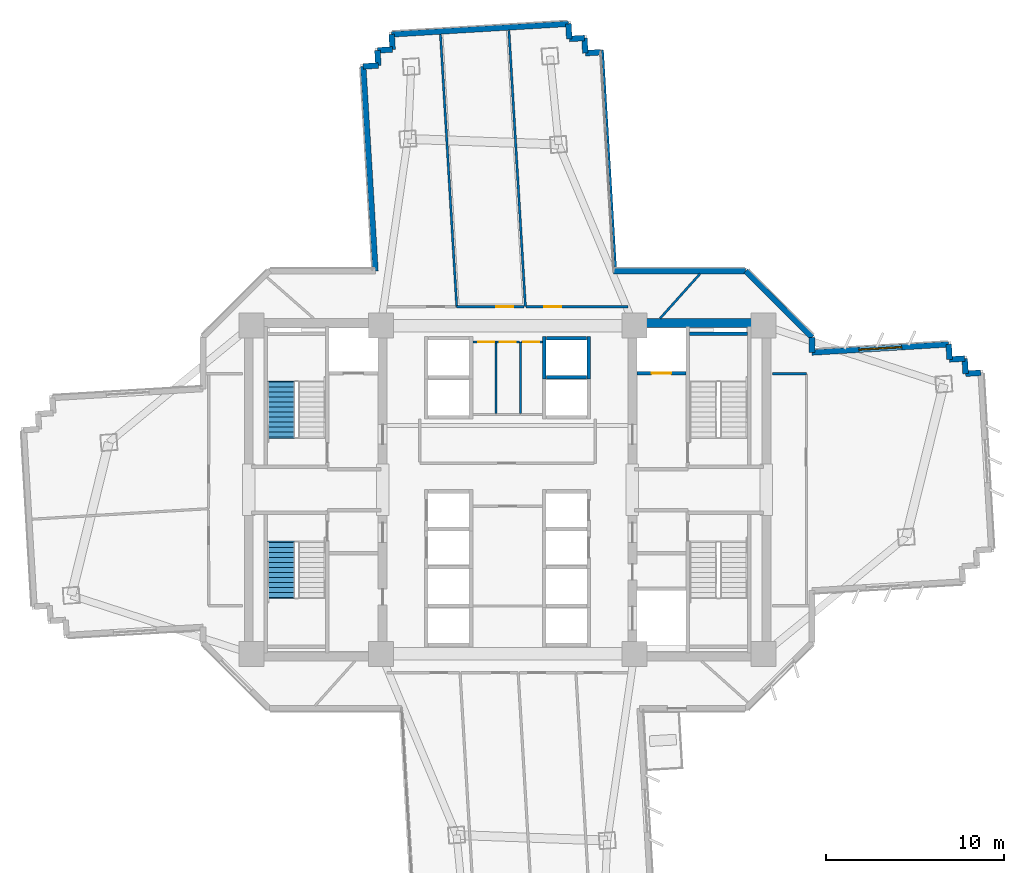
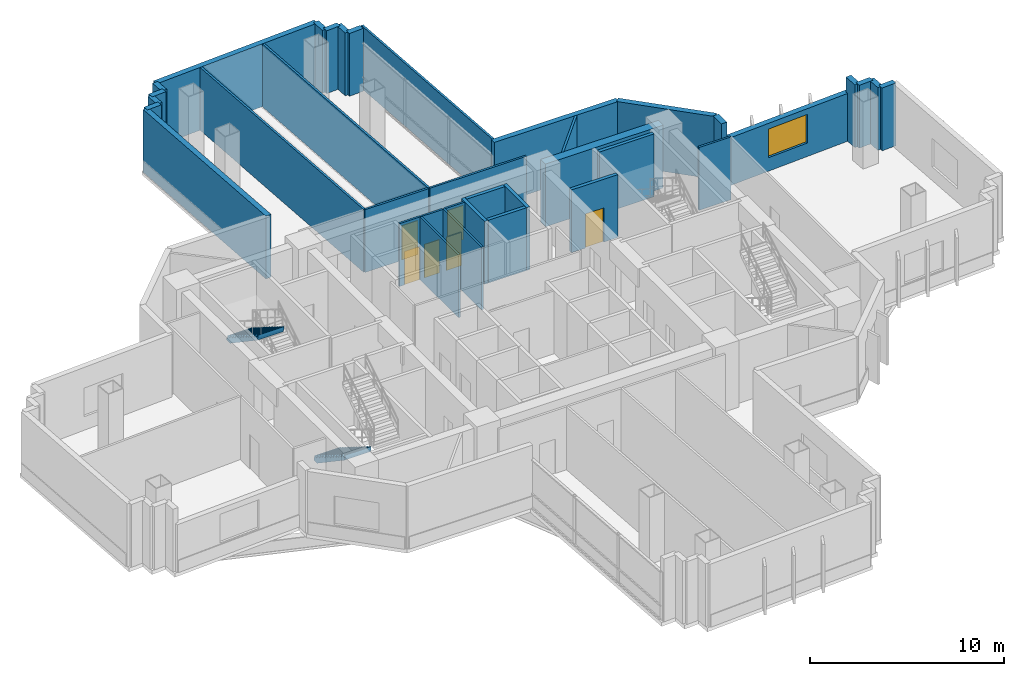
# One storey, part 9 of 15: 37 walls, 6 doors, 2 stair flights, 1 window, 7 openings, 2 elements without a shape of their own.
"""IFC4 building model written with IfcOpenShell, lengths in metres."""

from ifc_helpers import new_model, si_unit, direction, frame, frame_2d, origin, place, context, subcontext, project, spatial, polyline, rectangle, outline, extrude, source, transform, mapped, material, layer, layer_set, type_object, element, fill, aggregate, save


model = new_model("IFC4")

# Units and contexts
model_context = context("Model", 3, precision=1e-05, world=origin(), true_north=direction((0.0, 1.0)))
body_context = subcontext(model_context, "Body", "Model", "MODEL_VIEW")
ifc_project = project(units=[si_unit("LENGTHUNIT", "METRE"), si_unit("AREAUNIT", "SQUARE_METRE"), si_unit("VOLUMEUNIT", "CUBIC_METRE"), si_unit("PLANEANGLEUNIT", "RADIAN"), si_unit("MASSUNIT", "GRAM", prefix="KILO")], contexts=[model_context])

# Site, building, storey
site_placement = place(None, origin())
site = spatial("IfcSite", under=ifc_project, at=site_placement, CompositionType="ELEMENT")
building_placement = place(site_placement, origin())
building = spatial("IfcBuilding", under=site, at=building_placement, Name="Zahravan Cultural Tower", CompositionType="ELEMENT")
storey_placement = place(building_placement, frame((0.0, 0.0, 75.300048828125)))
storey = spatial("IfcBuildingStorey", under=building, at=storey_placement, Name="L16", CompositionType="ELEMENT", Elevation=75.300048828125)

# Wall, opening, window
ifc_material_1 = material(Name="Precast concrete C40/50", Category="concrete")
ifc_layer_1 = layer(ifc_material_1, 0.320068359375)
ifc_layer_set_1 = layer_set([ifc_layer_1], Name="Precast concrete C40/50")
wall_type_1 = type_object("IfcWallType", Name="EW-TC-320", PredefinedType="SOLIDWALL", material=ifc_layer_set_1)
wall_1_placement = place(storey_placement, frame((53.06005859375, 34.69140625, 0.0), z_axis=(0.0, 0.0, 1.0), x_axis=(0.998218176762, 0.059669687296, 0.0)))
wall_1 = element("IfcWall", 1, at=wall_1_placement, inside=storey, type_object=wall_type_1, Name="L16 Exterior Masonry Frame Wall 01", PredefinedType="SOLIDWALL", context=body_context, shape_type="SweptSolid", body=[
    extrude(rectangle(XDim=7.671630859375, YDim=0.320068359375, at=frame_2d((3.8359375, 0.0))), origin(), (0.0, 0.0, 1.0), 3.010009765625),
])
opening_1_placement = place(wall_1_placement, frame((2.635986328125, 0.0, 0.85009765625)))
opening_1 = element("IfcOpeningElement", 2, at=opening_1_placement, cuts=wall_1, Name="Opening WN-01", PredefinedType="OPENING", context=body_context, shape_type="SweptSolid", body=[
    extrude(rectangle(XDim=2.39990234375, YDim=1.800048828125, at=frame_2d((1.199951171875, 0.89990234375))), frame((0.0, 0.169921875, 0.0), z_axis=(0.0, -1.0, 0.0), x_axis=(1.0, 0.0, 0.0)), (0.0, 0.0, 1.0), 0.340087890625),
])
ifc_material_2 = material(Name="Low-E solar-control double glazing", Category="glass")
window_type = type_object("IfcWindowType", Name="WN-REC-2400X1800", PartitioningType="DOUBLE_PANEL_VERTICAL", PredefinedType="WINDOW", material=ifc_material_2)
shared_shape_1 = source(origin(), body_context, "Body", "SweptSolid", [
    extrude(rectangle(XDim=2.39990234375, YDim=1.800048828125, at=frame_2d((1.199951171875, 0.89990234375))), frame((0.0, 0.030029296875, 0.0), z_axis=(0.0, -1.0, 0.0), x_axis=(1.0, 0.0, 0.0)), (0.0, 0.0, 1.0), 0.06005859375),
])
window_placement = place(opening_1_placement, origin())
window = element("IfcWindow", 3, at=window_placement, inside=storey, type_object=window_type, Name="L16 Recessed Solar Window 01", OverallHeight=1.800048828125, OverallWidth=2.39990234375, PartitioningType="DOUBLE_PANEL_VERTICAL", PredefinedType="WINDOW", context=body_context, shape_type="MappedRepresentation", body=[
    mapped(shared_shape_1, transform((0.0, 0.0, 0.0), x_axis=(1.0, 0.0, 0.0), y_axis=(0.0, 1.0, 0.0), z_axis=(0.0, 0.0, 1.0), scale=1.0)),
])
fill(opening_1, window)

# Wall, opening, door
ifc_material_3 = material(Name="Gypsum plasterboard partition")
ifc_layer_2 = layer(ifc_material_3, 0.125)
ifc_layer_set_2 = layer_set([ifc_layer_2], Name="Gypsum plasterboard partition")
wall_type_2 = type_object("IfcWallType", Name="W-PART-125", PredefinedType="PARTITIONING", material=ifc_layer_set_2)
wall_2_placement = place(storey_placement, frame((36.93212890625, 37.260009765625, 0.0), z_axis=(0.0, 0.0, 1.0), x_axis=(-1.0, 0.0, 0.0)))
wall_2 = element("IfcWall", 4, at=wall_2_placement, inside=storey, type_object=wall_type_2, Name="L16 Interior Wall 085", PredefinedType="PARTITIONING", context=body_context, shape_type="SweptSolid", body=[
    extrude(rectangle(XDim=3.779296875, YDim=0.125, at=frame_2d((1.8896484375, 0.0))), origin(), (0.0, 0.0, 1.0), 3.949951171875),
])
opening_2_placement = place(wall_2_placement, frame((0.622314453125, 0.0, 0.0)))
opening_2 = element("IfcOpeningElement", 5, at=opening_2_placement, cuts=wall_2, Name="Opening D-L16-18", PredefinedType="OPENING", context=body_context, shape_type="SweptSolid", body=[
    extrude(rectangle(XDim=0.949951171875, YDim=2.14990234375, at=frame_2d((0.47509765625, 1.074951171875))), frame((0.0, 0.072509765625, 0.0), z_axis=(0.0, -1.0, 0.0), x_axis=(1.0, 0.0, 0.0)), (0.0, 0.0, 1.0), 0.14501953125),
])
ifc_material_4 = material(Name="Anodised bronze-aluminium mullion", Category="aluminium")
door_type_1 = type_object("IfcDoorType", Name="DR-ROOM-950", OperationType="NOTDEFINED", PredefinedType="DOOR", material=ifc_material_4)
shared_shape_2 = source(origin(), body_context, "Body", "SweptSolid", [
    extrude(rectangle(XDim=0.949951171875, YDim=2.14990234375, at=frame_2d((0.47509765625, 1.074951171875))), frame((0.0, 0.02490234375, 0.0), z_axis=(0.0, -1.0, 0.0), x_axis=(1.0, 0.0, 0.0)), (0.0, 0.0, 1.0), 0.050048828125),
])
door_1_placement = place(opening_2_placement, origin())
door_1 = element("IfcDoor", 6, at=door_1_placement, inside=storey, type_object=door_type_1, Name="L16 Door D-L16-18", OperationType="SINGLE_SWING_LEFT", OverallHeight=2.14990234375, OverallWidth=0.949951171875, PredefinedType="DOOR", context=body_context, shape_type="MappedRepresentation", body=[
    mapped(shared_shape_2, transform((0.0, 0.0, 0.0), x_axis=(1.0, 0.0, 0.0), y_axis=(0.0, 1.0, 0.0), z_axis=(0.0, 0.0, 1.0), scale=1.0)),
])
fill(opening_2, door_1)

wall_3_placement = place(storey_placement, frame((42.742431640625, 37.259765625, 0.0), z_axis=(0.0, 0.0, 1.0), x_axis=(-0.99999999909, 4.2662116e-05, 0.0)))
wall_3 = element("IfcWall", 7, at=wall_3_placement, inside=storey, type_object=wall_type_2, Name="L16 Interior Wall 099", PredefinedType="PARTITIONING", context=body_context, shape_type="SweptSolid", body=[
    extrude(rectangle(XDim=5.72265625, YDim=0.125, at=frame_2d((2.861328125, 0.0))), origin(), (0.0, 0.0, 1.0), 3.949951171875),
])
opening_3_placement = place(wall_3_placement, frame((3.72265625, 0.0, 0.0)))
opening_3 = element("IfcOpeningElement", 8, at=opening_3_placement, cuts=wall_3, Name="Opening D-L16-17", PredefinedType="OPENING", context=body_context, shape_type="SweptSolid", body=[
    extrude(rectangle(XDim=0.949951171875, YDim=2.14990234375, at=frame_2d((0.47509765625, 1.074951171875))), frame((0.0, 0.072509765625, 0.0), z_axis=(0.0, -1.0, 0.0), x_axis=(1.0, 0.0, 0.0)), (0.0, 0.0, 1.0), 0.14501953125),
])
door_2_placement = place(opening_3_placement, origin())
door_2 = element("IfcDoor", 9, at=door_2_placement, inside=storey, type_object=door_type_1, Name="L16 Door D-L16-17", OperationType="SINGLE_SWING_RIGHT", OverallHeight=2.14990234375, OverallWidth=0.949951171875, PredefinedType="DOOR", context=body_context, shape_type="MappedRepresentation", body=[
    mapped(shared_shape_2, transform((0.0, 0.0, 0.0), x_axis=(1.0, 0.0, 0.0), y_axis=(0.0, 1.0, 0.0), z_axis=(0.0, 0.0, 1.0), scale=1.0)),
])
fill(opening_3, door_2)

ifc_material_5 = material(Name="Concrete C45/55", Category="concrete")
ifc_layer_3 = layer(ifc_material_5, 0.199951171875)
ifc_layer_set_3 = layer_set([ifc_layer_3], Name="Concrete C45/55")
wall_type_3 = type_object("IfcWallType", Name="W-SHAFT-200", PredefinedType="SOLIDWALL", material=ifc_layer_set_3)
wall_4_placement = place(storey_placement, frame((43.25, 33.52001953125, 0.0), z_axis=(0.0, 0.0, 1.0), x_axis=(1.0, 0.0, 0.0)))
wall_4 = element("IfcWall", 10, at=wall_4_placement, inside=storey, type_object=wall_type_3, Name="L16 Interior Wall 022", PredefinedType="SOLIDWALL", context=body_context, shape_type="SweptSolid", body=[
    extrude(rectangle(XDim=2.75, YDim=0.199951171875, at=frame_2d((1.375, 0.0))), origin(), (0.0, 0.0, 1.0), 3.949951171875),
])
opening_4_placement = place(wall_4_placement, frame((0.820068359375, 0.0, 0.0)))
opening_4 = element("IfcOpeningElement", 11, at=opening_4_placement, cuts=wall_4, Name="Opening LD-L16-02", PredefinedType="OPENING", context=body_context, shape_type="SweptSolid", body=[
    extrude(rectangle(XDim=1.10009765625, YDim=2.14990234375, at=frame_2d((0.550048828125, 1.074951171875))), frame((0.0, 0.10986328125, 0.0), z_axis=(0.0, -1.0, 0.0), x_axis=(1.0, 0.0, 0.0)), (0.0, 0.0, 1.0), 0.219970703125),
])
ifc_material_6 = material(Name="Steel ASTM A572 Grade 50", Category="steel")
door_type_2 = type_object("IfcDoorType", Name="DR-LIFT-1100", OperationType="DOUBLE_DOOR_SLIDING", PredefinedType="DOOR", material=ifc_material_6)
shared_shape_3 = source(origin(), body_context, "Body", "SweptSolid", [
    extrude(rectangle(XDim=1.10009765625, YDim=2.14990234375, at=frame_2d((0.550048828125, 1.074951171875))), frame((0.0, 0.02490234375, 0.0), z_axis=(0.0, -1.0, 0.0), x_axis=(1.0, 0.0, 0.0)), (0.0, 0.0, 1.0), 0.050048828125),
])
door_3_placement = place(opening_4_placement, origin())
door_3 = element("IfcDoor", 12, at=door_3_placement, inside=storey, type_object=door_type_2, Name="L16 Door LD-L16-02", OperationType="DOUBLE_DOOR_SLIDING", OverallHeight=2.14990234375, OverallWidth=1.10009765625, PredefinedType="DOOR", context=body_context, shape_type="MappedRepresentation", body=[
    mapped(shared_shape_3, transform((0.0, 0.0, 0.0), x_axis=(1.0, 0.0, 0.0), y_axis=(0.0, 1.0, 0.0), z_axis=(0.0, 0.0, 1.0), scale=1.0)),
])
fill(opening_4, door_3)

ifc_layer_4 = layer(ifc_material_3, 0.114990234375)
ifc_layer_set_4 = layer_set([ifc_layer_4], Name="Gypsum plasterboard partition")
wall_type_4 = type_object("IfcWallType", Name="W-WC-115", PredefinedType="PARTITIONING", material=ifc_layer_set_4)
wall_5_placement = place(storey_placement, frame((36.782470703125, 35.280029296875, 0.0), z_axis=(0.0, 0.0, 1.0), x_axis=(1.0, 0.0, 0.0)))
wall_5 = element("IfcWall", 13, at=wall_5_placement, inside=storey, type_object=wall_type_4, Name="L16 Interior Wall 068", PredefinedType="PARTITIONING", context=body_context, shape_type="SweptSolid", body=[
    extrude(rectangle(XDim=1.16259765625, YDim=0.114990234375, at=frame_2d((0.581298828125, 0.0))), origin(), (0.0, 0.0, 1.0), 3.949951171875),
])
opening_5_placement = place(wall_5_placement, frame((0.0888671875, 0.0, 0.0)))
opening_5 = element("IfcOpeningElement", 14, at=opening_5_placement, cuts=wall_5, Name="Opening D-L16-13", PredefinedType="OPENING", context=body_context, shape_type="SweptSolid", body=[
    extrude(rectangle(XDim=0.89990234375, YDim=2.10009765625, at=frame_2d((0.449951171875, 1.050048828125))), frame((0.0, 0.0673828125, 0.0), z_axis=(0.0, -1.0, 0.0), x_axis=(1.0, 0.0, 0.0)), (0.0, 0.0, 1.0), 0.135009765625),
])
door_type_3 = type_object("IfcDoorType", Name="DR-WC-900", OperationType="NOTDEFINED", PredefinedType="DOOR", material=ifc_material_4)
shared_shape_4 = source(origin(), body_context, "Body", "SweptSolid", [
    extrude(rectangle(XDim=0.89990234375, YDim=2.10009765625, at=frame_2d((0.449951171875, 1.050048828125))), frame((0.0, 0.02490234375, 0.0), z_axis=(0.0, -1.0, 0.0), x_axis=(1.0, 0.0, 0.0)), (0.0, 0.0, 1.0), 0.050048828125),
])
door_4_placement = place(opening_5_placement, origin())
door_4 = element("IfcDoor", 15, at=door_4_placement, inside=storey, type_object=door_type_3, Name="L16 Door D-L16-13", OperationType="SINGLE_SWING_RIGHT", OverallHeight=2.10009765625, OverallWidth=0.89990234375, PredefinedType="DOOR", context=body_context, shape_type="MappedRepresentation", body=[
    mapped(shared_shape_4, transform((0.0, 0.0, 0.0), x_axis=(1.0, 0.0, 0.0), y_axis=(0.0, 1.0, 0.0), z_axis=(0.0, 0.0, 1.0), scale=1.0)),
])
fill(opening_5, door_4)

wall_6_placement = place(storey_placement, frame((34.054931640625, 35.280029296875, 0.0), z_axis=(0.0, 0.0, 1.0), x_axis=(1.0, 0.0, 0.0)))
wall_6 = element("IfcWall", 16, at=wall_6_placement, inside=storey, type_object=wall_type_4, Name="L16 Interior Wall 070", PredefinedType="PARTITIONING", context=body_context, shape_type="SweptSolid", body=[
    extrude(rectangle(XDim=1.28515625, YDim=0.114990234375, at=frame_2d((0.642578125, 0.0))), origin(), (0.0, 0.0, 1.0), 3.949951171875),
])
opening_6_placement = place(wall_6_placement, frame((0.30029296875, 0.0, 0.0)))
opening_6 = element("IfcOpeningElement", 17, at=opening_6_placement, cuts=wall_6, Name="Opening D-L16-11", PredefinedType="OPENING", context=body_context, shape_type="SweptSolid", body=[
    extrude(rectangle(XDim=0.89990234375, YDim=2.10009765625, at=frame_2d((0.449951171875, 1.050048828125))), frame((0.0, 0.0673828125, 0.0), z_axis=(0.0, -1.0, 0.0), x_axis=(1.0, 0.0, 0.0)), (0.0, 0.0, 1.0), 0.135009765625),
])
door_5_placement = place(opening_6_placement, origin())
door_5 = element("IfcDoor", 18, at=door_5_placement, inside=storey, type_object=door_type_3, Name="L16 Door D-L16-11", OperationType="SINGLE_SWING_RIGHT", OverallHeight=2.10009765625, OverallWidth=0.89990234375, PredefinedType="DOOR", context=body_context, shape_type="MappedRepresentation", body=[
    mapped(shared_shape_4, transform((0.0, 0.0, 0.0), x_axis=(1.0, 0.0, 0.0), y_axis=(0.0, 1.0, 0.0), z_axis=(0.0, 0.0, 1.0), scale=1.0)),
])
fill(opening_6, door_5)

wall_7_placement = place(storey_placement, frame((35.360107421875, 35.280029296875, 0.0), z_axis=(0.0, 0.0, 1.0), x_axis=(1.0, 0.0, 0.0)))
wall_7 = element("IfcWall", 19, at=wall_7_placement, inside=storey, type_object=wall_type_4, Name="L16 Interior Wall 073", PredefinedType="PARTITIONING", context=body_context, shape_type="SweptSolid", body=[
    extrude(rectangle(XDim=1.29736328125, YDim=0.114990234375, at=frame_2d((0.648681640625, 0.0))), origin(), (0.0, 0.0, 1.0), 3.949951171875),
])
opening_7_placement = place(wall_7_placement, frame((0.19873046875, 0.0, 0.0)))
opening_7 = element("IfcOpeningElement", 20, at=opening_7_placement, cuts=wall_7, Name="Opening D-L16-12", PredefinedType="OPENING", context=body_context, shape_type="SweptSolid", body=[
    extrude(rectangle(XDim=0.89990234375, YDim=2.10009765625, at=frame_2d((0.449951171875, 1.050048828125))), frame((0.0, 0.0673828125, 0.0), z_axis=(0.0, -1.0, 0.0), x_axis=(1.0, 0.0, 0.0)), (0.0, 0.0, 1.0), 0.135009765625),
])
door_6_placement = place(opening_7_placement, origin())
door_6 = element("IfcDoor", 21, at=door_6_placement, inside=storey, type_object=door_type_3, Name="L16 Door D-L16-12", OperationType="SINGLE_SWING_LEFT", OverallHeight=2.10009765625, OverallWidth=0.89990234375, PredefinedType="DOOR", context=body_context, shape_type="MappedRepresentation", body=[
    mapped(shared_shape_4, transform((0.0, 0.0, 0.0), x_axis=(1.0, 0.0, 0.0), y_axis=(0.0, 1.0, 0.0), z_axis=(0.0, 0.0, 1.0), scale=1.0)),
])
fill(opening_7, door_6)

# Walls
ifc_material_7 = material(Name="Concrete C60/75", Category="concrete")
ifc_layer_5 = layer(ifc_material_7, 0.5)
ifc_layer_set_5 = layer_set([ifc_layer_5], Name="Concrete C60/75")
wall_type_5 = type_object("IfcWallType", Name="CW-SHEAR-500-C60", PredefinedType="SHEAR", material=ifc_layer_set_5)
shared_shape_5 = source(origin(), body_context, "Body", "SweptSolid", [
    extrude(rectangle(XDim=7.0, YDim=0.5, at=frame_2d((3.5, 0.0))), origin(), (0.0, 0.0, 1.0), 3.949951171875),
])
wall_8_placement = place(storey_placement, frame((43.25, 36.35009765625, 0.0), z_axis=(0.0, 0.0, 1.0), x_axis=(1.0, 0.0, 0.0)))
element("IfcWall", 22, at=wall_8_placement, inside=storey, type_object=wall_type_5, Name="L16 Core Shear Wall CW-E-N-L16", PredefinedType="SHEAR", context=body_context, shape_type="MappedRepresentation", body=[
    mapped(shared_shape_5, transform((0.0, 0.0, 0.0), x_axis=(1.0, 0.0, 0.0), y_axis=(0.0, 1.0, 0.0), z_axis=(0.0, 0.0, 1.0), scale=1.0)),
])
shared_shape_6 = source(origin(), body_context, "Body", "SweptSolid", [
    extrude(rectangle(XDim=0.849853515625, YDim=0.320068359375, at=frame_2d((0.4248046875, 0.0))), origin(), (0.0, 0.0, 1.0), 3.949951171875),
])
for number, where, z_axis, x_axis, name in (
    (23, (27.91064453125, 50.7197265625, 0.0), (0.0, 0.0, 1.0), (0.998213421964, 0.059749177487, 0.0), "L16 Exterior Masonry Frame Wall 43"),
    (24, (28.759033203125, 50.7705078125, 0.0), (0.0, 0.0, 1.0), (-0.059462939961, 0.998230513845, 0.0), "L16 Exterior Masonry Frame Wall 44"),
    (25, (28.70849609375, 51.618896484375, 0.0), (0.0, 0.0, 1.0), (0.998213421964, 0.059749177487, 0.0), "L16 Exterior Masonry Frame Wall 45"),
    (26, (29.556884765625, 51.669677734375, 0.0), (0.0, 0.0, 1.0), (-0.059749177487, 0.998213421964, 0.0), "L16 Exterior Masonry Frame Wall 46"),
    (27, (39.459228515625, 52.26123046875, 0.0), (0.0, 0.0, 1.0), (0.998213421964, 0.059749177487, 0.0), "L16 Exterior Masonry Frame Wall 49"),
    (28, (40.3076171875, 52.31201171875, 0.0), (0.0, 0.0, 1.0), (0.059749177487, -0.998213421964, 0.0), "L16 Exterior Masonry Frame Wall 50"),
    (29, (40.3583984375, 51.463623046875, 0.0), (0.0, 0.0, 1.0), (0.998213421964, 0.059749177487, 0.0), "L16 Exterior Masonry Frame Wall 51"),
):
    element("IfcWall", number, at=place(storey_placement, frame(where, z_axis=z_axis, x_axis=x_axis)), inside=storey, type_object=wall_type_1, Name=name, PredefinedType="SOLIDWALL", context=body_context, shape_type="MappedRepresentation", body=[
        mapped(shared_shape_6, transform((0.0, 0.0, 0.0), x_axis=(1.0, 0.0, 0.0), y_axis=(0.0, 1.0, 0.0), z_axis=(0.0, 0.0, 1.0), scale=1.0)),
    ])
shared_shape_7 = source(origin(), body_context, "Body", "SweptSolid", [
    extrude(rectangle(XDim=0.85009765625, YDim=0.320068359375, at=frame_2d((0.425048828125, 0.0))), origin(), (0.0, 0.0, 1.0), 3.949951171875),
])
for number, where, z_axis, x_axis, name in (
    (30, (60.718017578125, 35.149169921875, 0.0), (0.0, 0.0, 1.0), (0.059445893707, -0.998231529116, 0.0), "L16 Exterior Masonry Frame Wall 02"),
    (31, (60.7685546875, 34.300537109375, 0.0), (0.0, 0.0, 1.0), (0.998214447016, 0.059732049764, 0.0), "L16 Exterior Masonry Frame Wall 03"),
    (32, (61.6171875, 34.351318359375, 0.0), (0.0, 0.0, 1.0), (0.059445893707, -0.998231529116, 0.0), "L16 Exterior Masonry Frame Wall 04"),
    (33, (61.667724609375, 33.502685546875, 0.0), (0.0, 0.0, 1.0), (0.998214447016, 0.059732049764, 0.0), "L16 Exterior Masonry Frame Wall 05"),
    (34, (39.408447265625, 53.10986328125, 0.0), (0.0, 0.0, 1.0), (0.059732049764, -0.998214447016, 0.0), "L16 Exterior Masonry Frame Wall 48"),
):
    element("IfcWall", number, at=place(storey_placement, frame(where, z_axis=z_axis, x_axis=x_axis)), inside=storey, type_object=wall_type_1, Name=name, PredefinedType="SOLIDWALL", context=body_context, shape_type="MappedRepresentation", body=[
        mapped(shared_shape_7, transform((0.0, 0.0, 0.0), x_axis=(1.0, 0.0, 0.0), y_axis=(0.0, 1.0, 0.0), z_axis=(0.0, 0.0, 1.0), scale=1.0)),
    ])
shared_shape_8 = source(origin(), body_context, "Body", "SweptSolid", [
    extrude(rectangle(XDim=9.919921875, YDim=0.320068359375, at=frame_2d((4.9599609375, 0.0))), origin(), (0.0, 0.0, 1.0), 3.949951171875),
])
wall_9_placement = place(storey_placement, frame((29.506103515625, 52.51806640625, 0.0), z_axis=(0.0, 0.0, 1.0), x_axis=(0.998218942745, 0.059656871726, 0.0)))
element("IfcWall", 35, at=wall_9_placement, inside=storey, type_object=wall_type_1, Name="L16 Exterior Masonry Frame Wall 47", PredefinedType="SOLIDWALL", context=body_context, shape_type="MappedRepresentation", body=[
    mapped(shared_shape_8, transform((0.0, 0.0, 0.0), x_axis=(1.0, 0.0, 0.0), y_axis=(0.0, 1.0, 0.0), z_axis=(0.0, 0.0, 1.0), scale=1.0)),
])
shared_shape_9 = source(origin(), body_context, "Body", "SweptSolid", [
    extrude(rectangle(XDim=5.258056640625, YDim=0.320068359375, at=frame_2d((2.62890625, 0.0))), origin(), (0.0, 0.0, 1.0), 3.949951171875),
])
wall_10_placement = place(storey_placement, frame((49.342041015625, 39.260009765625, 0.0), z_axis=(0.0, 0.0, 1.0), x_axis=(0.707106781187, -0.707106781187, 0.0)))
element("IfcWall", 36, at=wall_10_placement, inside=storey, type_object=wall_type_1, Name="L16 Exterior Masonry Frame Wall 53", PredefinedType="SOLIDWALL", context=body_context, shape_type="MappedRepresentation", body=[
    mapped(shared_shape_9, transform((0.0, 0.0, 0.0), x_axis=(1.0, 0.0, 0.0), y_axis=(0.0, 1.0, 0.0), z_axis=(0.0, 0.0, 1.0), scale=1.0)),
])
shared_shape_10 = source(origin(), body_context, "Body", "SweptSolid", [
    extrude(rectangle(XDim=7.40283203125, YDim=0.320068359375, at=frame_2d((3.701416015625, 0.0))), origin(), (0.0, 0.0, 1.0), 3.949951171875),
])
wall_11_placement = place(storey_placement, frame((41.939208984375, 39.260009765625, 0.0), z_axis=(0.0, 0.0, 1.0), x_axis=(1.0, 0.0, 0.0)))
element("IfcWall", 37, at=wall_11_placement, inside=storey, type_object=wall_type_1, Name="L16 Exterior Masonry Frame Wall 52", PredefinedType="SOLIDWALL", context=body_context, shape_type="MappedRepresentation", body=[
    mapped(shared_shape_10, transform((0.0, 0.0, 0.0), x_axis=(1.0, 0.0, 0.0), y_axis=(0.0, 1.0, 0.0), z_axis=(0.0, 0.0, 1.0), scale=1.0)),
])
shared_shape_11 = source(origin(), body_context, "Body", "SweptSolid", [
    extrude(rectangle(XDim=0.8505859375, YDim=0.320068359375, at=frame_2d((0.42529296875, 0.0))), origin(), (0.0, 0.0, 1.0), 3.949951171875),
])
wall_12_placement = place(storey_placement, frame((53.06005859375, 35.5419921875, 0.0), z_axis=(0.0, 0.0, 1.0), x_axis=(0.0, -1.0, 0.0)))
element("IfcWall", 38, at=wall_12_placement, inside=storey, type_object=wall_type_1, Name="L16 Exterior Masonry Frame Wall 54", PredefinedType="SOLIDWALL", context=body_context, shape_type="MappedRepresentation", body=[
    mapped(shared_shape_11, transform((0.0, 0.0, 0.0), x_axis=(1.0, 0.0, 0.0), y_axis=(0.0, 1.0, 0.0), z_axis=(0.0, 0.0, 1.0), scale=1.0)),
])
shared_shape_12 = source(origin(), body_context, "Body", "SweptSolid", [
    extrude(rectangle(XDim=11.480224609375, YDim=0.320068359375, at=frame_2d((5.740234375, 0.0))), origin(), (0.0, 0.0, 1.0), 3.949951171875),
])
wall_13_placement = place(storey_placement, frame((28.595458984375, 39.260009765625, 0.0), z_axis=(0.0, 0.0, 1.0), x_axis=(-0.059651994121, 0.998219234235, 0.0)))
element("IfcWall", 39, at=wall_13_placement, inside=storey, type_object=wall_type_1, Name="L16 Exterior Masonry Frame Wall 42", PredefinedType="SOLIDWALL", context=body_context, shape_type="MappedRepresentation", body=[
    mapped(shared_shape_12, transform((0.0, 0.0, 0.0), x_axis=(1.0, 0.0, 0.0), y_axis=(0.0, 1.0, 0.0), z_axis=(0.0, 0.0, 1.0), scale=1.0)),
])
shared_shape_13 = source(origin(), body_context, "Body", "SweptSolid", [
    extrude(rectangle(XDim=3.25, YDim=0.199951171875, at=frame_2d((1.625, 0.0))), origin(), (0.0, 0.0, 1.0), 3.949951171875),
])
wall_14_placement = place(storey_placement, frame((46.199951171875, 35.75, 0.0), z_axis=(0.0, 0.0, 1.0), x_axis=(1.0, 0.0, 0.0)))
element("IfcWall", 40, at=wall_14_placement, inside=storey, type_object=wall_type_3, Name="L16 Interior Wall 018", PredefinedType="SOLIDWALL", context=body_context, shape_type="MappedRepresentation", body=[
    mapped(shared_shape_13, transform((0.0, 0.0, 0.0), x_axis=(1.0, 0.0, 0.0), y_axis=(0.0, 1.0, 0.0), z_axis=(0.0, 0.0, 1.0), scale=1.0)),
])
shared_shape_14 = source(origin(), body_context, "Body", "SweptSolid", [
    extrude(rectangle(XDim=2.400146484375, YDim=0.199951171875, at=frame_2d((1.2001953125, 0.0))), origin(), (0.0, 0.0, 1.0), 3.949951171875),
])
for number, where, z_axis, x_axis, name in (
    (41, (38.050048828125, 33.199951171875, 0.0), (0.0, 0.0, 1.0), (0.0, 1.0, 0.0), "L16 Interior Wall 033"),
    (42, (40.550048828125, 33.199951171875, 0.0), (0.0, 0.0, 1.0), (0.0, 1.0, 0.0), "L16 Interior Wall 034"),
):
    element("IfcWall", number, at=place(storey_placement, frame(where, z_axis=z_axis, x_axis=x_axis)), inside=storey, type_object=wall_type_3, Name=name, PredefinedType="SOLIDWALL", context=body_context, shape_type="MappedRepresentation", body=[
        mapped(shared_shape_14, transform((0.0, 0.0, 0.0), x_axis=(1.0, 0.0, 0.0), y_axis=(0.0, 1.0, 0.0), z_axis=(0.0, 0.0, 1.0), scale=1.0)),
    ])
shared_shape_15 = source(origin(), body_context, "Body", "SweptSolid", [
    extrude(rectangle(XDim=2.260009765625, YDim=0.199951171875, at=frame_2d((1.1298828125, 0.0))), origin(), (0.0, 0.0, 1.0), 3.949951171875),
])
for number, where, z_axis, x_axis, name in (
    (43, (38.169921875, 33.300048828125, 0.0), (0.0, 0.0, 1.0), (1.0, 0.0, 0.0), "L16 Interior Wall 035"),
    (44, (38.169921875, 35.5, 0.0), (0.0, 0.0, 1.0), (1.0, 0.0, 0.0), "L16 Interior Wall 036"),
):
    element("IfcWall", number, at=place(storey_placement, frame(where, z_axis=z_axis, x_axis=x_axis)), inside=storey, type_object=wall_type_3, Name=name, PredefinedType="SOLIDWALL", context=body_context, shape_type="MappedRepresentation", body=[
        mapped(shared_shape_15, transform((0.0, 0.0, 0.0), x_axis=(1.0, 0.0, 0.0), y_axis=(0.0, 1.0, 0.0), z_axis=(0.0, 0.0, 1.0), scale=1.0)),
    ])
shared_shape_16 = source(origin(), body_context, "Body", "SweptSolid", [
    extrude(rectangle(XDim=3.99755859375, YDim=0.114990234375, at=frame_2d((1.998779296875, 0.0))), origin(), (0.0, 0.0, 1.0), 3.949951171875),
])
wall_15_placement = place(storey_placement, frame((36.719970703125, 31.282470703125, 0.0), z_axis=(0.0, 0.0, 1.0), x_axis=(0.0, 1.0, 0.0)))
element("IfcWall", 45, at=wall_15_placement, inside=storey, type_object=wall_type_4, Name="L16 Interior Wall 067", PredefinedType="PARTITIONING", context=body_context, shape_type="MappedRepresentation", body=[
    mapped(shared_shape_16, transform((0.0, 0.0, 0.0), x_axis=(1.0, 0.0, 0.0), y_axis=(0.0, 1.0, 0.0), z_axis=(0.0, 0.0, 1.0), scale=1.0)),
])
shared_shape_17 = source(origin(), body_context, "Body", "SweptSolid", [
    extrude(rectangle(XDim=3.93505859375, YDim=0.114990234375, at=frame_2d((1.967529296875, 0.0))), origin(), (0.0, 0.0, 1.0), 3.949951171875),
])
wall_16_placement = place(storey_placement, frame((35.340087890625, 35.217529296875, 0.0), z_axis=(0.0, 0.0, 1.0), x_axis=(0.0, -1.0, 0.0)))
element("IfcWall", 46, at=wall_16_placement, inside=storey, type_object=wall_type_4, Name="L16 Interior Wall 071", PredefinedType="PARTITIONING", context=body_context, shape_type="MappedRepresentation", body=[
    mapped(shared_shape_17, transform((0.0, 0.0, 0.0), x_axis=(1.0, 0.0, 0.0), y_axis=(0.0, 1.0, 0.0), z_axis=(0.0, 0.0, 1.0), scale=1.0)),
])
shared_shape_18 = source(origin(), body_context, "Body", "SweptSolid", [
    extrude(rectangle(XDim=1.896728515625, YDim=0.125, at=frame_2d((0.9482421875, 0.0))), origin(), (0.0, 0.0, 1.0), 3.949951171875),
])
wall_17_placement = place(storey_placement, frame((52.747314453125, 33.497314453125, 0.0), z_axis=(0.0, 0.0, 1.0), x_axis=(-0.999999925444, -0.000386150055, 0.0)))
element("IfcWall", 47, at=wall_17_placement, inside=storey, type_object=wall_type_2, Name="L16 Interior Wall 104", PredefinedType="PARTITIONING", context=body_context, shape_type="MappedRepresentation", body=[
    mapped(shared_shape_18, transform((0.0, 0.0, 0.0), x_axis=(1.0, 0.0, 0.0), y_axis=(0.0, 1.0, 0.0), z_axis=(0.0, 0.0, 1.0), scale=1.0)),
])
shared_shape_19 = source(origin(), body_context, "Body", "SweptSolid", [
    extrude(rectangle(XDim=15.512939453125, YDim=0.125, at=frame_2d((7.75634765625, 0.0))), origin(), (0.0, 0.0, 1.0), 3.949951171875),
])
wall_18_placement = place(storey_placement, frame((36.07421875, 52.745361328125, 0.0), z_axis=(0.0, 0.0, 1.0), x_axis=(0.059662086624, -0.998218631072, 0.0)))
element("IfcWall", 48, at=wall_18_placement, inside=storey, type_object=wall_type_2, Name="L16 Interior Wall 084", PredefinedType="PARTITIONING", context=body_context, shape_type="MappedRepresentation", body=[
    mapped(shared_shape_19, transform((0.0, 0.0, 0.0), x_axis=(1.0, 0.0, 0.0), y_axis=(0.0, 1.0, 0.0), z_axis=(0.0, 0.0, 1.0), scale=1.0)),
])
shared_shape_20 = source(origin(), body_context, "Body", "SweptSolid", [
    extrude(rectangle(XDim=15.283203125, YDim=0.125, at=frame_2d((7.6416015625, 0.0))), origin(), (0.0, 0.0, 1.0), 3.949951171875),
])
wall_19_placement = place(storey_placement, frame((33.15283203125, 37.260009765625, 0.0), z_axis=(0.0, 0.0, 1.0), x_axis=(-0.059648121824, 0.99821946563, 0.0)))
element("IfcWall", 49, at=wall_19_placement, inside=storey, type_object=wall_type_2, Name="L16 Interior Wall 086", PredefinedType="PARTITIONING", context=body_context, shape_type="MappedRepresentation", body=[
    mapped(shared_shape_20, transform((0.0, 0.0, 0.0), x_axis=(1.0, 0.0, 0.0), y_axis=(0.0, 1.0, 0.0), z_axis=(0.0, 0.0, 1.0), scale=1.0)),
])
shared_shape_21 = source(origin(), body_context, "Body", "SweptSolid", [
    extrude(rectangle(XDim=3.34765625, YDim=0.125, at=frame_2d((1.673828125, 0.0))), origin(), (0.0, 0.0, 1.0), 3.949951171875),
])
wall_20_placement = place(storey_placement, frame((46.784912109375, 39.0986328125, 0.0), z_axis=(0.0, 0.0, 1.0), x_axis=(-0.667206176518, -0.74487308853, 0.0)))
element("IfcWall", 50, at=wall_20_placement, inside=storey, type_object=wall_type_2, Name="L16 Interior Wall 101", PredefinedType="PARTITIONING", context=body_context, shape_type="MappedRepresentation", body=[
    mapped(shared_shape_21, transform((0.0, 0.0, 0.0), x_axis=(1.0, 0.0, 0.0), y_axis=(0.0, 1.0, 0.0), z_axis=(0.0, 0.0, 1.0), scale=1.0)),
])
shared_shape_22 = source(origin(), body_context, "Body", "SweptSolid", [
    extrude(rectangle(XDim=12.23828125, YDim=0.125, at=frame_2d((6.119140625, 0.0))), origin(), (0.0, 0.0, 1.0), 3.949951171875),
])
wall_21_placement = place(storey_placement, frame((41.319580078125, 51.641357421875, 0.0), z_axis=(0.0, 0.0, 1.0), x_axis=(0.059807214901, -0.998209946377, 0.0)))
element("IfcWall", 51, at=wall_21_placement, inside=storey, type_object=wall_type_2, Name="L16 Interior Wall 100", PredefinedType="PARTITIONING", context=body_context, shape_type="MappedRepresentation", body=[
    mapped(shared_shape_22, transform((0.0, 0.0, 0.0), x_axis=(1.0, 0.0, 0.0), y_axis=(0.0, 1.0, 0.0), z_axis=(0.0, 0.0, 1.0), scale=1.0)),
])

# Stair, stair flight
stair_type = type_object("IfcStairType", Name="STR-DL-1550-420", PredefinedType="HALF_TURN_STAIR", material=ifc_material_5)
stair_1_placement = place(storey_placement, origin())
stair_1 = element("IfcStair", 52, at=stair_1_placement, inside=storey, type_object=stair_type, Name="L16 West Core North Exit Stair ST-W1", PredefinedType="HALF_TURN_STAIR")
stair_flight_type = type_object("IfcStairFlightType", Name="FLG-DL-1550-420", PredefinedType="STRAIGHT", material=ifc_material_5)
stair_flight_1_placement = place(storey_placement, frame((23.324951171875, 33.030029296875, 2.099853515625), z_axis=(0.0, 0.0, 1.0), x_axis=(0.0, -1.0, 0.0)))
stair_flight_1 = element("IfcStairFlight", 53, at=stair_flight_1_placement, type_object=stair_flight_type, Name="ST-W1 flight 2", NumberOfRisers=12, NumberOfTreads=11, PredefinedType="STRAIGHT", RiserHeight=0.175, TreadLength=0.28, context=body_context, shape_type="SweptSolid", body=[
    extrude(outline(polyline([(-0.06494140625, -0.139892578125), (-0.06494140625, 0.0), (0.0, 0.0), (0.0, 0.175048828125), (0.280029296875, 0.175048828125), (0.280029296875, 0.35009765625), (0.56005859375, 0.35009765625), (0.56005859375, 0.52490234375), (0.840087890625, 0.52490234375), (0.840087890625, 0.699951171875), (1.1201171875, 0.699951171875), (1.1201171875, 0.875), (1.39990234375, 0.875), (1.39990234375, 1.050048828125), (1.679931640625, 1.050048828125), (1.679931640625, 1.22509765625), (1.9599609375, 1.22509765625), (1.9599609375, 1.39990234375), (2.239990234375, 1.39990234375), (2.239990234375, 1.574951171875), (2.52001953125, 1.574951171875), (2.52001953125, 1.75), (2.800048828125, 1.75), (2.800048828125, 1.925048828125), (3.080078125, 1.925048828125), (3.080078125, 2.10009765625), (3.14501953125, 2.10009765625), (3.14501953125, 1.9501953125), (3.080078125, 1.748291015625), (0.28271484375, -0.139892578125), (-0.06494140625, -0.139892578125)])), frame((0.0, 0.77490234375, 0.0), z_axis=(0.0, -1.0, 0.0), x_axis=(1.0, 0.0, 0.0)), (0.0, 0.0, 1.0), 1.550048828125),
])
aggregate(stair_1, [stair_flight_1])

stair_2_placement = place(storey_placement, origin())
stair_2 = element("IfcStair", 54, at=stair_2_placement, inside=storey, type_object=stair_type, Name="L16 West Core South Exit Stair ST-W2", PredefinedType="HALF_TURN_STAIR")
stair_flight_2_placement = place(storey_placement, frame((23.324951171875, 24.050048828125, 0.0), z_axis=(0.0, 0.0, 1.0), x_axis=(0.0, -1.0, 0.0)))
stair_flight_2 = element("IfcStairFlight", 55, at=stair_flight_2_placement, type_object=stair_flight_type, Name="ST-W2 flight 1", NumberOfRisers=12, NumberOfTreads=11, PredefinedType="STRAIGHT", RiserHeight=0.175, TreadLength=0.28, context=body_context, shape_type="SweptSolid", body=[
    extrude(outline(polyline([(-0.06494140625, -0.139892578125), (-0.06494140625, 0.0), (0.0, 0.0), (0.0, 0.175048828125), (0.280029296875, 0.175048828125), (0.280029296875, 0.35009765625), (0.56005859375, 0.35009765625), (0.56005859375, 0.52490234375), (0.840087890625, 0.52490234375), (0.840087890625, 0.699951171875), (1.1201171875, 0.699951171875), (1.1201171875, 0.875), (1.39990234375, 0.875), (1.39990234375, 1.050048828125), (1.679931640625, 1.050048828125), (1.679931640625, 1.22509765625), (1.9599609375, 1.22509765625), (1.9599609375, 1.39990234375), (2.239990234375, 1.39990234375), (2.239990234375, 1.574951171875), (2.52001953125, 1.574951171875), (2.52001953125, 1.75), (2.800048828125, 1.75), (2.800048828125, 1.925048828125), (3.080078125, 1.925048828125), (3.080078125, 2.10009765625), (3.14501953125, 2.10009765625), (3.14501953125, 1.9501953125), (3.080078125, 1.748291015625), (0.28271484375, -0.139892578125), (-0.06494140625, -0.139892578125)])), frame((0.0, 0.77490234375, 0.0), z_axis=(0.0, -1.0, 0.0), x_axis=(1.0, 0.0, 0.0)), (0.0, 0.0, 1.0), 1.550048828125),
])
aggregate(stair_2, [stair_flight_2])

save(model, "model.ifc")
